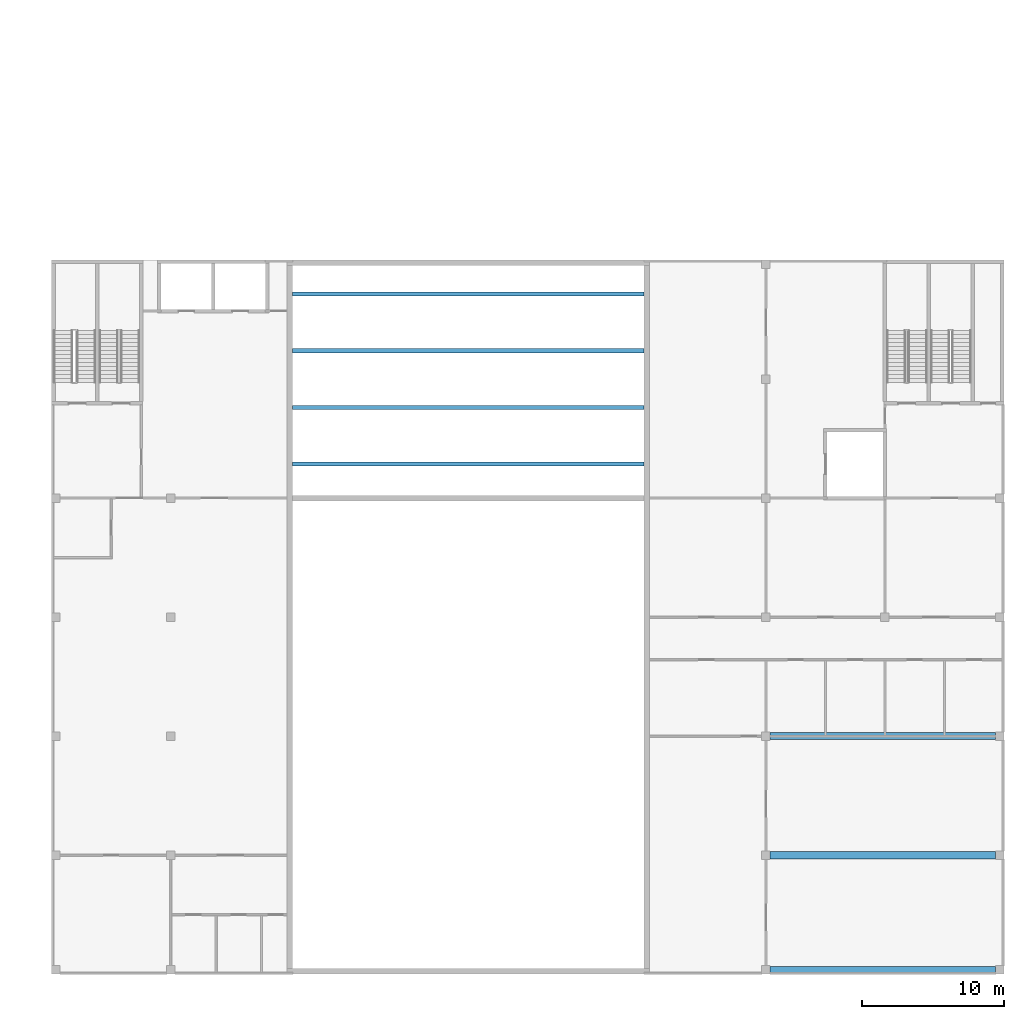
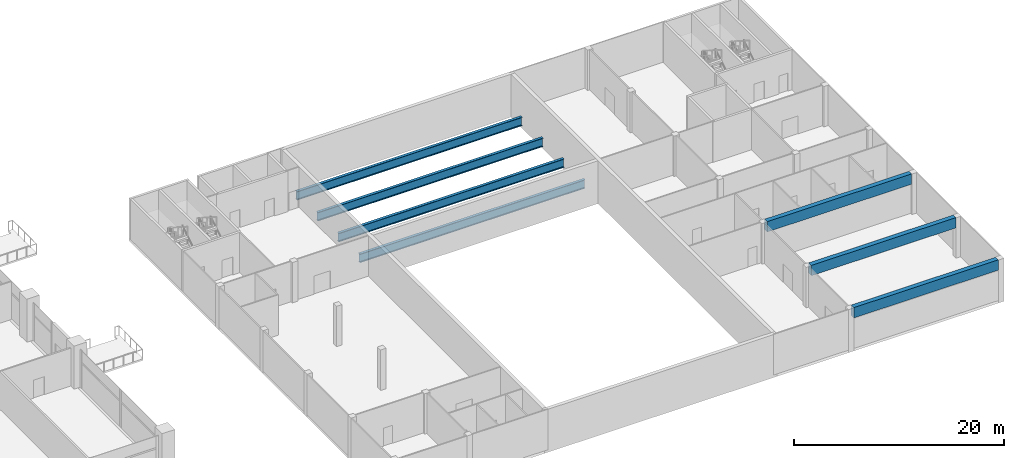
# One storey, part 9 of 33: 7 beams.
"""IFC4 building model written with IfcOpenShell, lengths in metres."""

from ifc_helpers import new_model, si_unit, direction, frame, origin, origin_2d, place, context, subcontext, project, spatial, rectangle, i_section, extrude, material, material_profile, profile_set, type_object, element, save


model = new_model("IFC4")

# Units and contexts
model_context = context("Model", 3, precision=1e-05, world=origin(), true_north=direction((0.0, 1.0)))
body_context = subcontext(model_context, "Body", "Model", "MODEL_VIEW")
ifc_project = project(units=[si_unit("LENGTHUNIT", "METRE"), si_unit("AREAUNIT", "SQUARE_METRE"), si_unit("VOLUMEUNIT", "CUBIC_METRE"), si_unit("PLANEANGLEUNIT", "RADIAN"), si_unit("MASSUNIT", "GRAM", prefix="KILO")], contexts=[model_context])

# Site, building, storey
site_placement = place(None, origin())
site = spatial("IfcSite", under=ifc_project, at=site_placement, CompositionType="ELEMENT")
building_placement = place(site_placement, origin())
building = spatial("IfcBuilding", under=site, at=building_placement, Name="Candeia Pilgrim Tower and Theatre", CompositionType="ELEMENT")
storey_placement = place(building_placement, frame((0.0, 0.0, 29.0)))
storey = spatial("IfcBuildingStorey", under=building, at=storey_placement, Name="L04", CompositionType="ELEMENT", Elevation=29.0)

# Beams
ifc_material_1 = material(Name="Steel S355", Category="steel")
ifc_material_profile_1 = material_profile(ifc_material_1, i_section(OverallWidth=0.300048828125, OverallDepth=1.0, WebThickness=0.01611328125, FlangeThickness=0.030029296875, at=origin_2d()))
ifc_profile_set_1 = profile_set([ifc_material_profile_1], Name="Steel S355")
beam_type_1 = type_object("IfcBeamType", Name="Fly grid beam PG 1000x300", PredefinedType="BEAM", material=ifc_profile_set_1)
for number, where, z_axis, x_axis, name in (
    (1, (193.0, 102.0, 0.5), (1.0, 0.0, 0.0), (0.0, 1.0, 0.0), "Fly grid beam 1"),
    (2, (193.0, 106.0, 0.5), (1.0, 0.0, 0.0), (0.0, 1.0, 0.0), "Fly grid beam 2"),
    (3, (193.0, 110.0, 0.5), (1.0, 0.0, 0.0), (0.0, 1.0, 0.0), "Fly grid beam 3"),
    (4, (193.0, 114.0, 0.5), (1.0, 0.0, 0.0), (0.0, 1.0, 0.0), "Fly grid beam 4"),
):
    element("IfcBeam", number, at=place(storey_placement, frame(where, z_axis=z_axis, x_axis=x_axis)), inside=storey, type_object=beam_type_1, Name=name, PredefinedType="BEAM", context=body_context, shape_type="SweptSolid", body=[
        extrude(i_section(OverallWidth=0.300048828125, OverallDepth=1.0, WebThickness=0.01611328125, FlangeThickness=0.030029296875, at=origin_2d()), origin(), (0.0, 0.0, 1.0), 24.800048828125),
    ])
ifc_material_2 = material(Name="Concrete C35/45", Category="concrete")
ifc_material_profile_2 = material_profile(ifc_material_2, rectangle(XDim=0.5, YDim=1.199951171875, at=origin_2d()))
ifc_profile_set_2 = profile_set([ifc_material_profile_2], Name="Concrete C35/45")
beam_type_2 = type_object("IfcBeamType", Name="Theatre beam 500x1200", PredefinedType="BEAM", material=ifc_profile_set_2)
for number, where, z_axis, x_axis, name in (
    (5, (226.699951171875, 66.300048828125, 4.10009765625), (1.0, 0.0, 0.0), (0.0, 1.0, 0.0), "Studio beam L04 66"),
    (6, (226.699951171875, 74.39990234375, 4.10009765625), (1.0, 0.0, 0.0), (0.0, 1.0, 0.0), "Studio beam L04 74"),
    (7, (226.699951171875, 82.800048828125, 4.10009765625), (1.0, 0.0, 0.0), (0.0, 1.0, 0.0), "Studio beam L04 82"),
):
    element("IfcBeam", number, at=place(storey_placement, frame(where, z_axis=z_axis, x_axis=x_axis)), inside=storey, type_object=beam_type_2, Name=name, PredefinedType="BEAM", context=body_context, shape_type="SweptSolid", body=[
        extrude(rectangle(XDim=0.5, YDim=1.199951171875, at=origin_2d()), origin(), (0.0, 0.0, 1.0), 15.900146484375),
    ])

save(model, "model.ifc")
